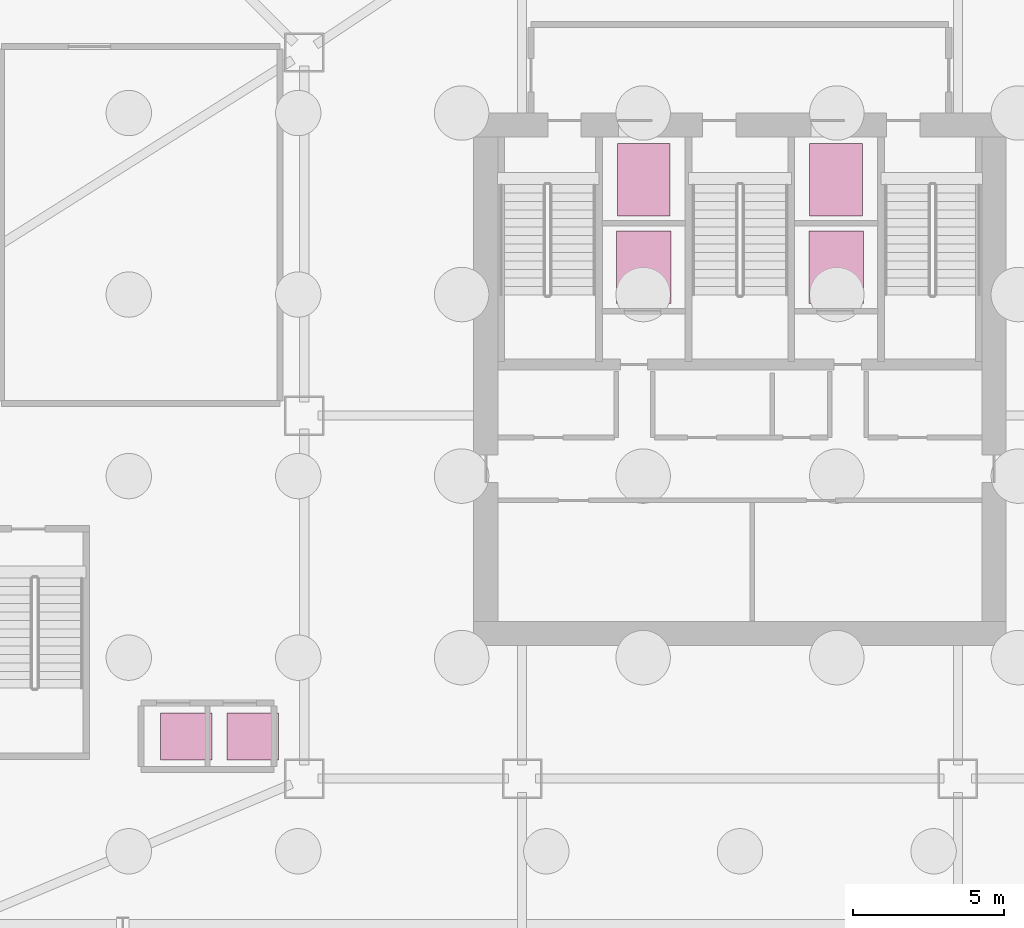
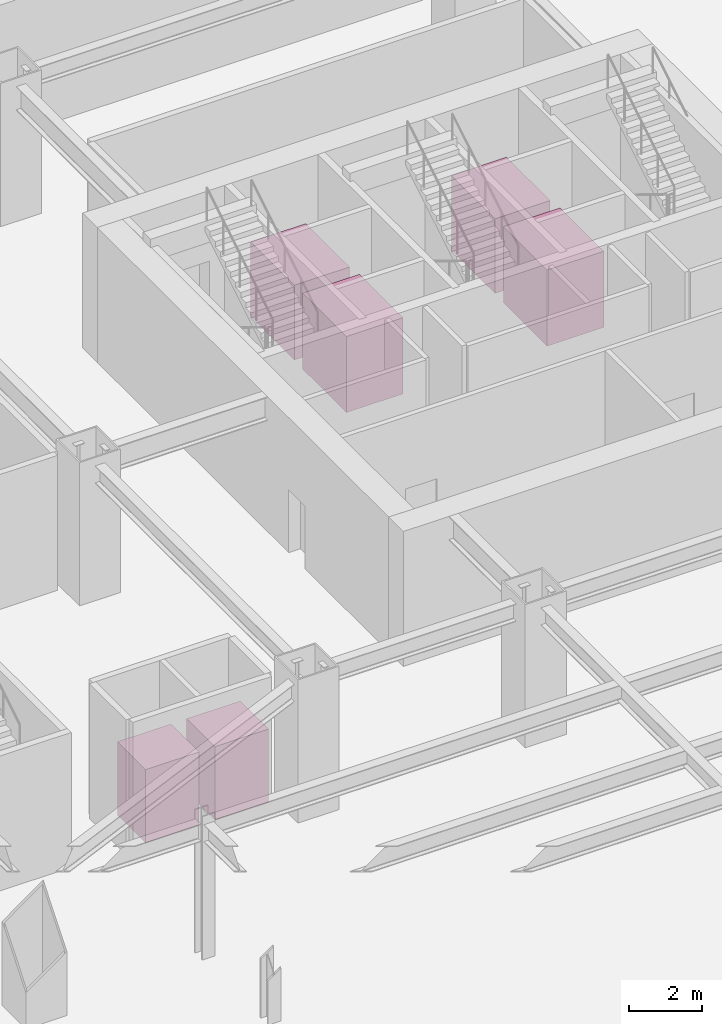
# One storey, part 15 of 15: 6 transport elements.
"""IFC4 building model written with IfcOpenShell, lengths in metres."""

from ifc_helpers import new_model, si_unit, direction, frame, origin, origin_2d, place, context, subcontext, project, spatial, rectangle, extrude, material, type_object, element, save


model = new_model("IFC4")

# Units and contexts
model_context = context("Model", 3, precision=1e-05, world=origin(), true_north=direction((0.0, 1.0)))
body_context = subcontext(model_context, "Body", "Model", "MODEL_VIEW")
ifc_project = project(units=[si_unit("LENGTHUNIT", "METRE"), si_unit("AREAUNIT", "SQUARE_METRE"), si_unit("VOLUMEUNIT", "CUBIC_METRE"), si_unit("PLANEANGLEUNIT", "RADIAN"), si_unit("MASSUNIT", "GRAM", prefix="KILO")], contexts=[model_context])

# Site, building, storey
site_placement = place(None, origin())
site = spatial("IfcSite", under=ifc_project, at=site_placement, CompositionType="ELEMENT")
building_placement = place(site_placement, origin())
building = spatial("IfcBuilding", under=site, at=building_placement, Name="Haolan Belvedere Tower", CompositionType="ELEMENT")
storey_placement = place(building_placement, frame((0.0, 0.0, -9.60009765625)))
storey = spatial("IfcBuildingStorey", under=building, at=storey_placement, Name="B2", CompositionType="ELEMENT", Elevation=-9.60009765625)

# Transport elements
ifc_material = material(Name="Brushed champagne stainless steel and laminated glass cab", Category="steel")
transport_element_type_1 = type_object("IfcTransportElementType", Name="LFT-FF-1800", PredefinedType="ELEVATOR", material=ifc_material)
for number, where, z_axis, x_axis, name in (
    (1, (35.219970703125, 41.39990234375, 0.0), (0.0, 0.0, 1.0), (1.0, 0.0, 0.0), "Firefighting elevator car FF1"),
    (2, (41.580078125, 41.39990234375, 0.0), (0.0, 0.0, 1.0), (1.0, 0.0, 0.0), "Firefighting elevator car FF2"),
):
    element("IfcTransportElement", number, at=place(storey_placement, frame(where, z_axis=z_axis, x_axis=x_axis)), inside=storey, type_object=transport_element_type_1, Name=name, PredefinedType="ELEVATOR", context=body_context, shape_type="SweptSolid", body=[
        extrude(rectangle(XDim=1.75, YDim=2.39990234375, at=origin_2d()), origin(), (0.0, 0.0, 1.0), 2.5),
    ])
transport_element_type_2 = type_object("IfcTransportElementType", Name="LFT-POD-1350", PredefinedType="ELEVATOR", material=ifc_material)
for number, where, z_axis, x_axis, name in (
    (3, (20.10009765625, 23.0, 0.0), (0.0, 0.0, 1.0), (1.0, 0.0, 0.0), "Passenger elevator car PB1"),
    (4, (22.300048828125, 23.0, 0.0), (0.0, 0.0, 1.0), (1.0, 0.0, 0.0), "Passenger elevator car PB2"),
):
    element("IfcTransportElement", number, at=place(storey_placement, frame(where, z_axis=z_axis, x_axis=x_axis)), inside=storey, type_object=transport_element_type_2, Name=name, PredefinedType="ELEVATOR", context=body_context, shape_type="SweptSolid", body=[
        extrude(rectangle(XDim=1.699951171875, YDim=1.550048828125, at=origin_2d()), origin(), (0.0, 0.0, 1.0), 2.449951171875),
    ])
transport_element_type_3 = type_object("IfcTransportElementType", Name="LFT-SRV-2000", PredefinedType="ELEVATOR", material=ifc_material)
for number, where, z_axis, x_axis, name in (
    (5, (35.219970703125, 38.5, 0.0), (0.0, 0.0, 1.0), (1.0, 0.0, 0.0), "Service elevator car SV1"),
    (6, (41.580078125, 38.5, 0.0), (0.0, 0.0, 1.0), (1.0, 0.0, 0.0), "Service elevator car SV2"),
):
    element("IfcTransportElement", number, at=place(storey_placement, frame(where, z_axis=z_axis, x_axis=x_axis)), inside=storey, type_object=transport_element_type_3, Name=name, PredefinedType="ELEVATOR", context=body_context, shape_type="SweptSolid", body=[
        extrude(rectangle(XDim=1.800048828125, YDim=2.39990234375, at=origin_2d()), origin(), (0.0, 0.0, 1.0), 2.550048828125),
    ])

save(model, "model.ifc")
